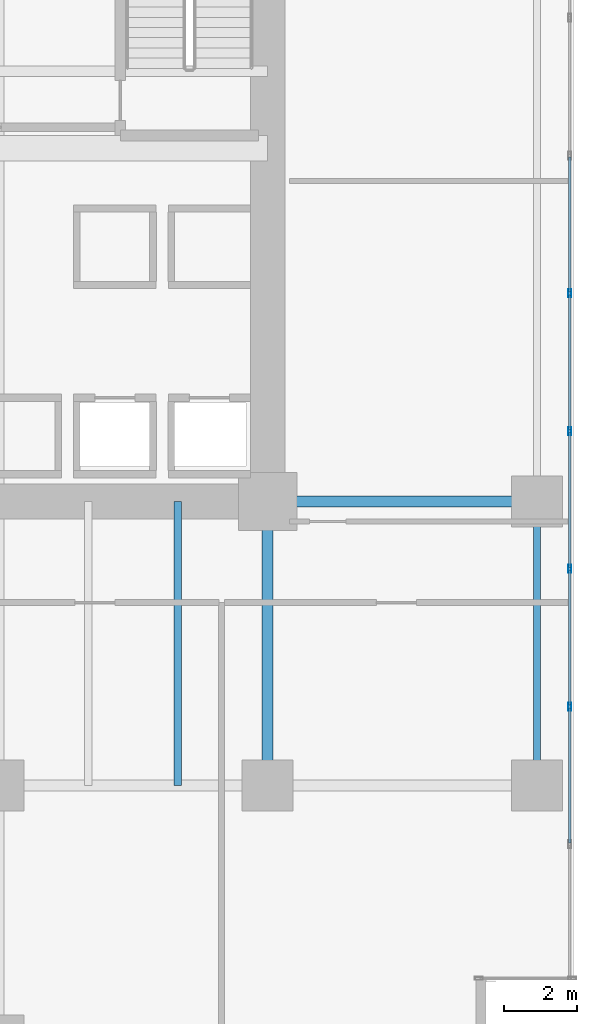
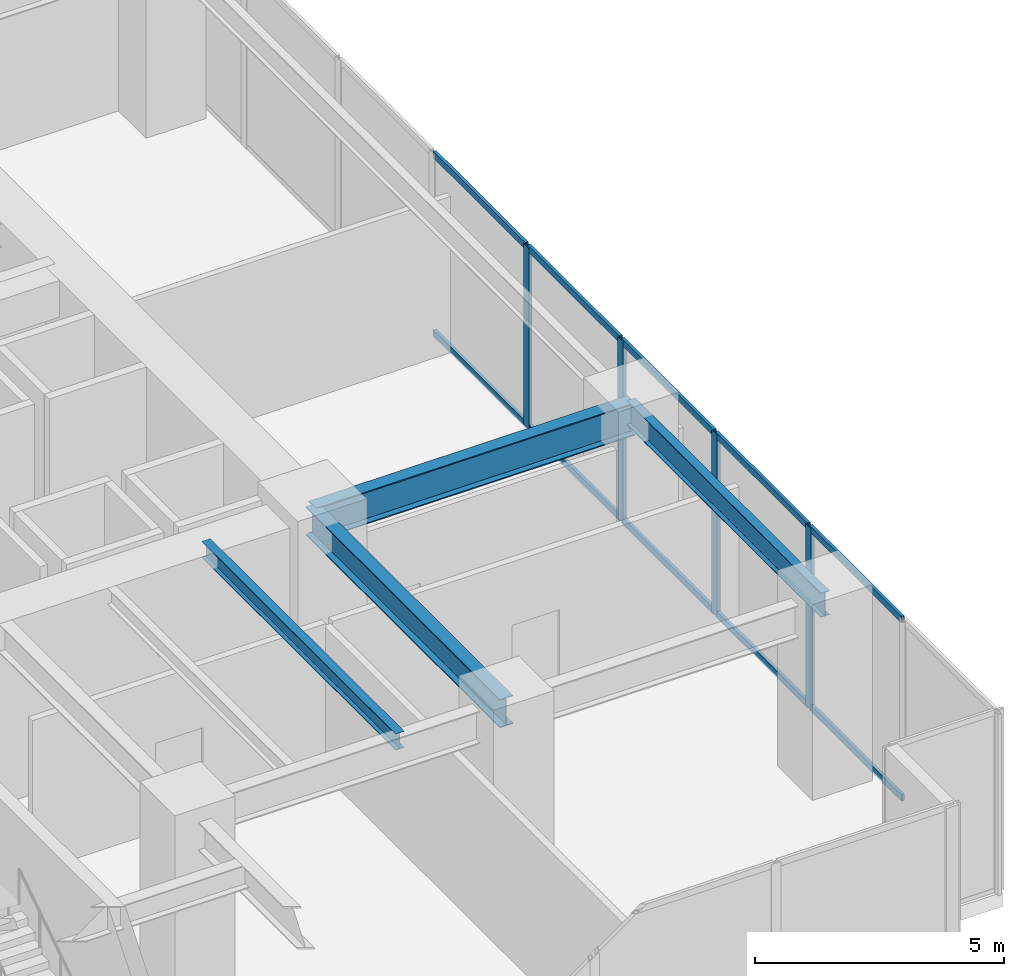
# One storey, part 19 of 32: 14 members, 4 beams, 1 element without a shape of its own.
"""IFC4 building model written with IfcOpenShell, lengths in metres."""

from ifc_helpers import new_model, si_unit, direction, frame, origin, origin_2d, place, context, subcontext, project, spatial, hollow_rectangle, i_section, extrude, source, transform, mapped, material, layer, layer_set, material_profile, profile_set, type_object, type_shapes, element, aggregate, save


model = new_model("IFC4")

# Units and contexts
model_context = context("Model", 3, precision=1e-05, world=origin(), true_north=direction((0.0, 1.0)))
body_context = subcontext(model_context, "Body", "Model", "MODEL_VIEW")
ifc_project = project(units=[si_unit("LENGTHUNIT", "METRE"), si_unit("AREAUNIT", "SQUARE_METRE"), si_unit("VOLUMEUNIT", "CUBIC_METRE"), si_unit("PLANEANGLEUNIT", "RADIAN"), si_unit("MASSUNIT", "GRAM", prefix="KILO")], contexts=[model_context])

# Site, building, storey
site_placement = place(None, origin())
site = spatial("IfcSite", under=ifc_project, at=site_placement, CompositionType="ELEMENT")
building_placement = place(site_placement, origin())
building = spatial("IfcBuilding", under=site, at=building_placement, Name="Haelvirn Gate Laboratories", CompositionType="ELEMENT")
storey_placement = place(building_placement, frame((0.0, 0.0, 5.39990234375)))
storey = spatial("IfcBuildingStorey", under=building, at=storey_placement, Name="L02", CompositionType="ELEMENT", Elevation=5.39990234375)

# Beams
ifc_material_1 = material(Name="Steel SM420", Category="steel")
ifc_material_profile_1 = material_profile(ifc_material_1, i_section(OverallWidth=0.300048828125, OverallDepth=0.800048828125, WebThickness=0.013916015625, FlangeThickness=0.02587890625, at=origin_2d()), Name="H-800x300x14x26")
ifc_profile_set_1 = profile_set([ifc_material_profile_1], Name="Steel SM420")
beam_type_1 = type_object("IfcBeamType", Name="BM-G-800", PredefinedType="BEAM", material=ifc_profile_set_1)
shared_shape_1 = source(origin(), body_context, "Body", "SweptSolid", [
    extrude(i_section(OverallWidth=0.300048828125, OverallDepth=0.800048828125, WebThickness=0.013916015625, FlangeThickness=0.02587890625, at=origin_2d()), origin(), (0.0, 0.0, 1.0), 7.400146484375),
])
type_shapes(beam_type_1, [shared_shape_1])
beam_1_placement = place(storey_placement, frame((67.39990234375, 14.800048828125, 4.050048828125), z_axis=(1.0, 0.0, 0.0), x_axis=(0.0, 1.0, 0.0)))
element("IfcBeam", 1, at=beam_1_placement, inside=storey, type_object=beam_type_1, Name="L02 Primary Girder Y14.8 (67.4-74.8)", PredefinedType="BEAM", context=body_context, shape_type="MappedRepresentation", body=[
    mapped(shared_shape_1, transform((0.0, 0.0, 0.0), scale=1.0)),
])
ifc_material_2 = material(Name="Steel SM355", Category="steel")
ifc_material_profile_2 = material_profile(ifc_material_2, i_section(OverallWidth=0.199951171875, OverallDepth=0.60009765625, WebThickness=0.010986328125, FlangeThickness=0.01708984375, at=origin_2d()), Name="H-600x200x11x17")
ifc_profile_set_2 = profile_set([ifc_material_profile_2], Name="Steel SM355")
beam_type_2 = type_object("IfcBeamType", Name="BM-SP-600", PredefinedType="SPANDREL", material=ifc_profile_set_2)
shared_shape_2 = source(origin(), body_context, "Body", "SweptSolid", [
    extrude(i_section(OverallWidth=0.199951171875, OverallDepth=0.60009765625, WebThickness=0.010986328125, FlangeThickness=0.01708984375, at=origin_2d()), origin(), (0.0, 0.0, 1.0), 7.800048828125),
])
type_shapes(beam_type_2, [shared_shape_2])
beam_2_placement = place(storey_placement, frame((74.800048828125, 7.0, 4.150146484375), z_axis=(0.0, 1.0, 0.0), x_axis=(-1.0, 0.0, 0.0)))
element("IfcBeam", 2, at=beam_2_placement, inside=storey, type_object=beam_type_2, Name="L02 Perimeter Spandrel X74.8 (7.0-14.8)", PredefinedType="SPANDREL", context=body_context, shape_type="MappedRepresentation", body=[
    mapped(shared_shape_2, transform((0.0, 0.0, 0.0), scale=1.0)),
])
ifc_material_profile_3 = material_profile(ifc_material_2, i_section(OverallWidth=0.199951171875, OverallDepth=0.39990234375, WebThickness=0.008056640625, FlangeThickness=0.012939453125, at=origin_2d()), Name="H-400x200x8x13")
ifc_profile_set_3 = profile_set([ifc_material_profile_3], Name="Steel SM355")
beam_type_3 = type_object("IfcBeamType", Name="BM-J-400", PredefinedType="JOIST", material=ifc_profile_set_3)
shared_shape_3 = source(origin(), body_context, "Body", "SweptSolid", [
    extrude(i_section(OverallWidth=0.199951171875, OverallDepth=0.39990234375, WebThickness=0.008056640625, FlangeThickness=0.012939453125, at=origin_2d()), origin(), (0.0, 0.0, 1.0), 7.800048828125),
])
type_shapes(beam_type_3, [shared_shape_3])
beam_3_placement = place(storey_placement, frame((64.929931640625, 7.0, 4.25), z_axis=(0.0, 1.0, 0.0), x_axis=(-1.0, 0.0, 0.0)))
element("IfcBeam", 3, at=beam_3_placement, inside=storey, type_object=beam_type_3, Name="L02 Composite Lab Joist South X64.93", PredefinedType="JOIST", context=body_context, shape_type="MappedRepresentation", body=[
    mapped(shared_shape_3, transform((0.0, 0.0, 0.0), scale=1.0)),
])
ifc_material_profile_4 = material_profile(ifc_material_2, i_section(OverallWidth=0.300048828125, OverallDepth=0.699951171875, WebThickness=0.012939453125, FlangeThickness=0.02392578125, at=origin_2d()), Name="H-700x300x13x24")
ifc_profile_set_4 = profile_set([ifc_material_profile_4], Name="Steel SM355")
beam_type_4 = type_object("IfcBeamType", Name="BM-G-700", PredefinedType="BEAM", material=ifc_profile_set_4)
shared_shape_4 = source(origin(), body_context, "Body", "SweptSolid", [
    extrude(i_section(OverallWidth=0.300048828125, OverallDepth=0.699951171875, WebThickness=0.012939453125, FlangeThickness=0.02392578125, at=origin_2d()), origin(), (0.0, 0.0, 1.0), 7.800048828125),
])
type_shapes(beam_type_4, [shared_shape_4])
beam_4_placement = place(storey_placement, frame((67.39990234375, 7.0, 4.10009765625), z_axis=(0.0, 1.0, 0.0), x_axis=(-1.0, 0.0, 0.0)))
element("IfcBeam", 4, at=beam_4_placement, inside=storey, type_object=beam_type_4, Name="L02 Frame Girder X67.4 (7.0-14.8)", PredefinedType="BEAM", context=body_context, shape_type="MappedRepresentation", body=[
    mapped(shared_shape_4, transform((0.0, 0.0, 0.0), scale=1.0)),
])

# Curtain wall, members
ifc_material_3 = material(Name="Anodised bronze unitised aluminium & triple low-E glass", Category="aluminium")
ifc_layer = layer(ifc_material_3, 0.18798828125, Name="CW-SYS-1")
ifc_layer_set = layer_set([ifc_layer], Name="Anodised bronze unitised aluminium & triple low-E glass")
curtain_wall_type = type_object("IfcCurtainWallType", Name="CW-SYS-1", PredefinedType="NOTDEFINED", material=ifc_layer_set)
curtain_wall_placement = place(storey_placement, origin())
curtain_wall = element("IfcCurtainWall", 5, at=curtain_wall_placement, inside=storey, type_object=curtain_wall_type, Name="L02 Unitised Curtain Wall CW-L02-P1-E03", PredefinedType="NOTDEFINED")
ifc_material_4 = material(Name="Extruded aluminium 6063-T6 (anodised bronze)", Category="aluminium")
ifc_material_profile_5 = material_profile(ifc_material_4, hollow_rectangle(XDim=0.080078125, YDim=0.219970703125, WallThickness=0.006103515625, at=origin_2d()), Name="CWM-220x80x6")
ifc_profile_set_5 = profile_set([ifc_material_profile_5], Name="Extruded aluminium 6063-T6 (anodised bronze)")
member_type_1 = type_object("IfcMemberType", Name="CWM-T220", PredefinedType="MULLION", material=ifc_profile_set_5)
shared_shape_5 = source(origin(), body_context, "Body", "SweptSolid", [
    extrude(hollow_rectangle(XDim=0.080078125, YDim=0.219970703125, WallThickness=0.006103515625, at=origin_2d()), origin(), (0.0, 0.0, 1.0), 4.4501953125),
])
type_shapes(member_type_1, [shared_shape_5])
member_1_placement = place(storey_placement, frame((75.699951171875, 9.166748046875, 0.0), z_axis=(0.0, 0.0, 1.0), x_axis=(-1.0, 0.0, 0.0)))
member_1 = element("IfcMember", 6, at=member_1_placement, type_object=member_type_1, Name="CW1 mullion 3", PredefinedType="MULLION", context=body_context, shape_type="MappedRepresentation", body=[
    mapped(shared_shape_5, transform((0.0, 0.0, 0.0), scale=1.0)),
])
member_2_placement = place(storey_placement, frame((75.699951171875, 12.949951171875, 0.0), z_axis=(0.0, 0.0, 1.0), x_axis=(-1.0, 0.0, 0.0)))
member_2 = element("IfcMember", 7, at=member_2_placement, type_object=member_type_1, Name="CW1 mullion 4", PredefinedType="MULLION", context=body_context, shape_type="MappedRepresentation", body=[
    mapped(shared_shape_5, transform((0.0, 0.0, 0.0), scale=1.0)),
])
member_3_placement = place(storey_placement, frame((75.699951171875, 16.7333984375, 0.0), z_axis=(0.0, 0.0, 1.0), x_axis=(-1.0, 0.0, 0.0)))
member_3 = element("IfcMember", 8, at=member_3_placement, type_object=member_type_1, Name="CW1 mullion 5", PredefinedType="MULLION", context=body_context, shape_type="MappedRepresentation", body=[
    mapped(shared_shape_5, transform((0.0, 0.0, 0.0), scale=1.0)),
])
member_4_placement = place(storey_placement, frame((75.699951171875, 20.5166015625, 0.0), z_axis=(0.0, 0.0, 1.0), x_axis=(-1.0, 0.0, 0.0)))
member_4 = element("IfcMember", 9, at=member_4_placement, type_object=member_type_1, Name="CW1 mullion 6", PredefinedType="MULLION", context=body_context, shape_type="MappedRepresentation", body=[
    mapped(shared_shape_5, transform((0.0, 0.0, 0.0), scale=1.0)),
])
ifc_material_profile_6 = material_profile(ifc_material_4, hollow_rectangle(XDim=0.070068359375, YDim=0.159912109375, WallThickness=0.0048828125, at=origin_2d()), Name="CWT-160x70x5")
ifc_profile_set_6 = profile_set([ifc_material_profile_6], Name="Extruded aluminium 6063-T6 (anodised bronze)")
member_type_2 = type_object("IfcMemberType", Name="CWT-T160", PredefinedType="USERDEFINED", material=ifc_profile_set_6)
shared_shape_6 = source(origin(), body_context, "Body", "SweptSolid", [
    extrude(hollow_rectangle(XDim=0.070068359375, YDim=0.159912109375, WallThickness=0.0048828125, at=origin_2d()), origin(), (0.0, 0.0, 1.0), 3.703369140625),
])
member_5_placement = place(storey_placement, frame((75.699951171875, 5.42333984375, 0.03515625), z_axis=(0.0, 1.0, 0.0), x_axis=(-1.0, 0.0, 0.0)))
member_5 = element("IfcMember", 10, at=member_5_placement, type_object=member_type_2, Name="CW1 transom 2.1", ObjectType="TRANSOM", PredefinedType="USERDEFINED", context=body_context, shape_type="MappedRepresentation", body=[
    mapped(shared_shape_6, transform((0.0, 0.0, 0.0), scale=1.0)),
])
member_6_placement = place(storey_placement, frame((75.699951171875, 5.42333984375, 4.4150390625), z_axis=(0.0, 1.0, 0.0), x_axis=(-1.0, 0.0, 0.0)))
member_6 = element("IfcMember", 11, at=member_6_placement, type_object=member_type_2, Name="CW1 transom 2.2", ObjectType="TRANSOM", PredefinedType="USERDEFINED", context=body_context, shape_type="MappedRepresentation", body=[
    mapped(shared_shape_6, transform((0.0, 0.0, 0.0), scale=1.0)),
])
member_7_placement = place(storey_placement, frame((75.699951171875, 12.989990234375, 0.03515625), z_axis=(0.0, 1.0, 0.0), x_axis=(-1.0, 0.0, 0.0)))
member_7 = element("IfcMember", 12, at=member_7_placement, type_object=member_type_2, Name="CW1 transom 4.1", ObjectType="TRANSOM", PredefinedType="USERDEFINED", context=body_context, shape_type="MappedRepresentation", body=[
    mapped(shared_shape_6, transform((0.0, 0.0, 0.0), scale=1.0)),
])
member_8_placement = place(storey_placement, frame((75.699951171875, 12.989990234375, 4.4150390625), z_axis=(0.0, 1.0, 0.0), x_axis=(-1.0, 0.0, 0.0)))
member_8 = element("IfcMember", 13, at=member_8_placement, type_object=member_type_2, Name="CW1 transom 4.2", ObjectType="TRANSOM", PredefinedType="USERDEFINED", context=body_context, shape_type="MappedRepresentation", body=[
    mapped(shared_shape_6, transform((0.0, 0.0, 0.0), scale=1.0)),
])
member_9_placement = place(storey_placement, frame((75.699951171875, 20.556640625, 0.03515625), z_axis=(0.0, 1.0, 0.0), x_axis=(-1.0, 0.0, 0.0)))
member_9 = element("IfcMember", 14, at=member_9_placement, type_object=member_type_2, Name="CW1 transom 6.1", ObjectType="TRANSOM", PredefinedType="USERDEFINED", context=body_context, shape_type="MappedRepresentation", body=[
    mapped(shared_shape_6, transform((0.0, 0.0, 0.0), scale=1.0)),
])
member_10_placement = place(storey_placement, frame((75.699951171875, 20.556640625, 4.4150390625), z_axis=(0.0, 1.0, 0.0), x_axis=(-1.0, 0.0, 0.0)))
member_10 = element("IfcMember", 15, at=member_10_placement, type_object=member_type_2, Name="CW1 transom 6.2", ObjectType="TRANSOM", PredefinedType="USERDEFINED", context=body_context, shape_type="MappedRepresentation", body=[
    mapped(shared_shape_6, transform((0.0, 0.0, 0.0), scale=1.0)),
])
shared_shape_7 = source(origin(), body_context, "Body", "SweptSolid", [
    extrude(hollow_rectangle(XDim=0.070068359375, YDim=0.159912109375, WallThickness=0.0048828125, at=origin_2d()), origin(), (0.0, 0.0, 1.0), 3.703125),
])
type_shapes(member_type_2, [shared_shape_6, shared_shape_7])
member_11_placement = place(storey_placement, frame((75.699951171875, 9.206787109375, 0.03515625), z_axis=(0.0, 1.0, 0.0), x_axis=(-1.0, 0.0, 0.0)))
member_11 = element("IfcMember", 16, at=member_11_placement, type_object=member_type_2, Name="CW1 transom 3.1", ObjectType="TRANSOM", PredefinedType="USERDEFINED", context=body_context, shape_type="MappedRepresentation", body=[
    mapped(shared_shape_7, transform((0.0, 0.0, 0.0), scale=1.0)),
])
member_12_placement = place(storey_placement, frame((75.699951171875, 9.206787109375, 4.4150390625), z_axis=(0.0, 1.0, 0.0), x_axis=(-1.0, 0.0, 0.0)))
member_12 = element("IfcMember", 17, at=member_12_placement, type_object=member_type_2, Name="CW1 transom 3.2", ObjectType="TRANSOM", PredefinedType="USERDEFINED", context=body_context, shape_type="MappedRepresentation", body=[
    mapped(shared_shape_7, transform((0.0, 0.0, 0.0), scale=1.0)),
])
member_13_placement = place(storey_placement, frame((75.699951171875, 16.7734375, 0.03515625), z_axis=(0.0, 1.0, 0.0), x_axis=(-1.0, 0.0, 0.0)))
member_13 = element("IfcMember", 18, at=member_13_placement, type_object=member_type_2, Name="CW1 transom 5.1", ObjectType="TRANSOM", PredefinedType="USERDEFINED", context=body_context, shape_type="MappedRepresentation", body=[
    mapped(shared_shape_7, transform((0.0, 0.0, 0.0), scale=1.0)),
])
member_14_placement = place(storey_placement, frame((75.699951171875, 16.7734375, 4.4150390625), z_axis=(0.0, 1.0, 0.0), x_axis=(-1.0, 0.0, 0.0)))
member_14 = element("IfcMember", 19, at=member_14_placement, type_object=member_type_2, Name="CW1 transom 5.2", ObjectType="TRANSOM", PredefinedType="USERDEFINED", context=body_context, shape_type="MappedRepresentation", body=[
    mapped(shared_shape_7, transform((0.0, 0.0, 0.0), scale=1.0)),
])
aggregate(curtain_wall, [member_1, member_2, member_3, member_4, member_5, member_6, member_11, member_12, member_7, member_8, member_13, member_14, member_9, member_10])

save(model, "model.ifc")
